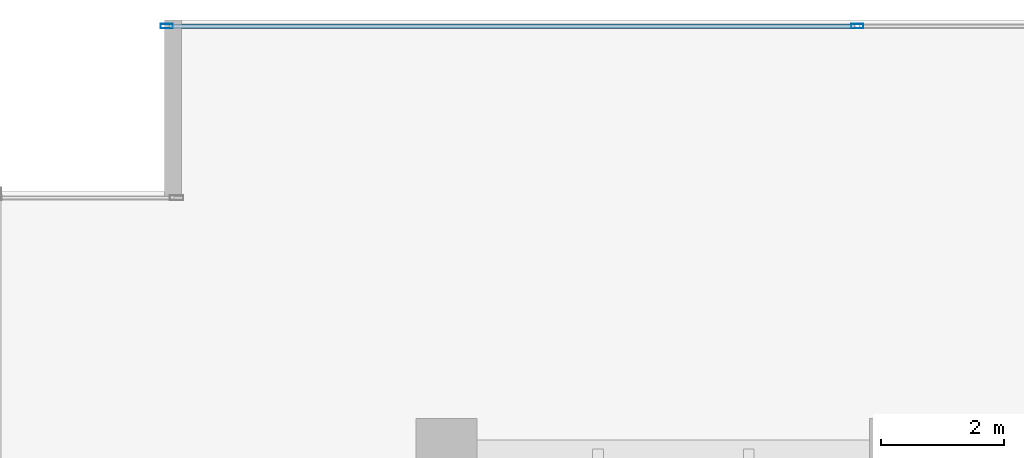
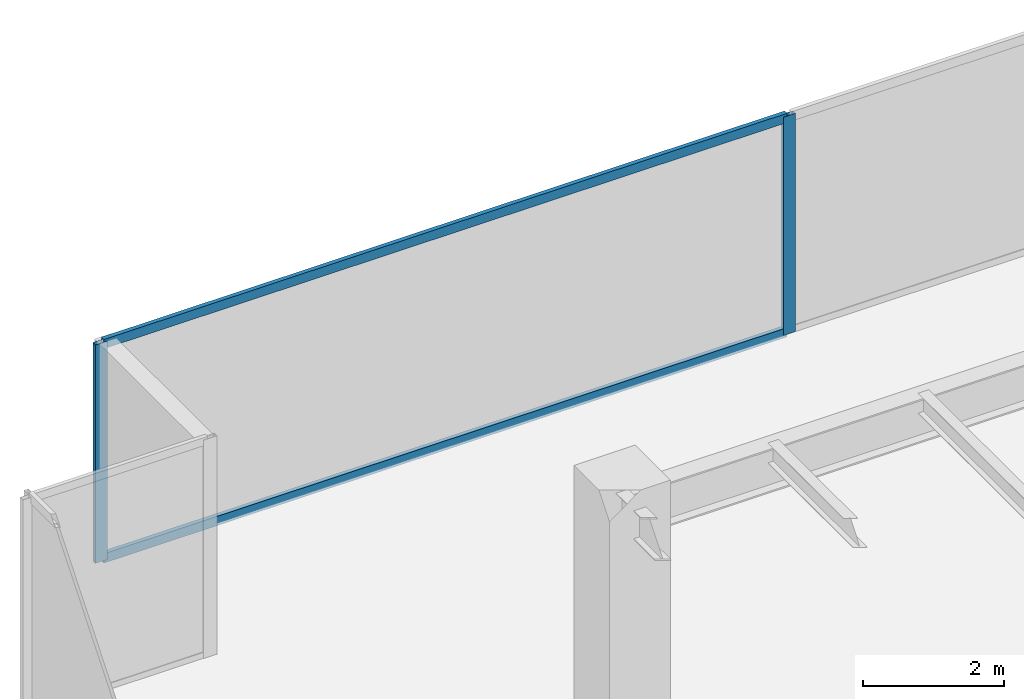
# One storey, part 15 of 35: 4 members, 1 element without a shape of its own.
"""IFC4 building model written with IfcOpenShell, lengths in metres."""

from ifc_helpers import new_model, si_unit, direction, frame, origin, origin_2d, place, context, subcontext, project, spatial, hollow_rectangle, extrude, source, transform, mapped, material, layer, layer_set, material_profile, profile_set, type_object, type_shapes, element, aggregate, save


model = new_model("IFC4")

# Units and contexts
model_context = context("Model", 3, precision=1e-05, world=origin(), true_north=direction((0.0, 1.0)))
body_context = subcontext(model_context, "Body", "Model", "MODEL_VIEW")
ifc_project = project(units=[si_unit("LENGTHUNIT", "METRE"), si_unit("AREAUNIT", "SQUARE_METRE"), si_unit("VOLUMEUNIT", "CUBIC_METRE"), si_unit("PLANEANGLEUNIT", "RADIAN"), si_unit("MASSUNIT", "GRAM", prefix="KILO")], contexts=[model_context])

# Site, building, storey
site_placement = place(None, origin())
site = spatial("IfcSite", under=ifc_project, at=site_placement, CompositionType="ELEMENT")
building_placement = place(site_placement, origin())
building = spatial("IfcBuilding", under=site, at=building_placement, Name="Haelvirn Gate Laboratories", CompositionType="ELEMENT")
storey_placement = place(building_placement, frame((0.0, 0.0, 41.60009765625)))
storey = spatial("IfcBuildingStorey", under=building, at=storey_placement, Name="L10", CompositionType="ELEMENT", Elevation=41.60009765625)

# Curtain wall, members
ifc_material_1 = material(Name="Anodised bronze unitised aluminium & triple low-E glass", Category="aluminium")
ifc_layer = layer(ifc_material_1, 0.18408203125, Name="CW-SYS-2")
ifc_layer_set = layer_set([ifc_layer], Name="Anodised bronze unitised aluminium & triple low-E glass")
curtain_wall_type = type_object("IfcCurtainWallType", Name="CW-SYS-2", PredefinedType="NOTDEFINED", material=ifc_layer_set)
curtain_wall_placement = place(storey_placement, origin())
curtain_wall = element("IfcCurtainWall", 1, at=curtain_wall_placement, inside=storey, type_object=curtain_wall_type, Name="L10 Unitised Curtain Wall CW-L10-P0-E14-1", PredefinedType="NOTDEFINED")
ifc_material_2 = material(Name="Extruded aluminium 6063-T6 (anodised bronze)", Category="aluminium")
ifc_material_profile_1 = material_profile(ifc_material_2, hollow_rectangle(XDim=0.070068359375, YDim=0.159912109375, WallThickness=0.0048828125, at=origin_2d()), Name="CWT-160x70x5")
ifc_profile_set_1 = profile_set([ifc_material_profile_1], Name="Extruded aluminium 6063-T6 (anodised bronze)")
member_type_1 = type_object("IfcMemberType", Name="CWT-T160", PredefinedType="USERDEFINED", material=ifc_profile_set_1)
shared_shape_1 = source(origin(), body_context, "Body", "SweptSolid", [
    extrude(hollow_rectangle(XDim=0.070068359375, YDim=0.159912109375, WallThickness=0.0048828125, at=origin_2d()), origin(), (0.0, 0.0, 1.0), 11.1875),
])
type_shapes(member_type_1, [shared_shape_1])
member_1_placement = place(storey_placement, frame((2.875, 48.5, 0.034912109375), z_axis=(1.0, 0.0, 0.0), x_axis=(0.0, 1.0, 0.0)))
member_1 = element("IfcMember", 2, at=member_1_placement, type_object=member_type_1, Name="CW2 transom 1.1", ObjectType="TRANSOM", PredefinedType="USERDEFINED", context=body_context, shape_type="MappedRepresentation", body=[
    mapped(shared_shape_1, transform((0.0, 0.0, 0.0), scale=1.0)),
])
member_2_placement = place(storey_placement, frame((2.875, 48.5, 3.744873046875), z_axis=(1.0, 0.0, 0.0), x_axis=(0.0, 1.0, 0.0)))
member_2 = element("IfcMember", 3, at=member_2_placement, type_object=member_type_1, Name="CW2 transom 1.2", ObjectType="TRANSOM", PredefinedType="USERDEFINED", context=body_context, shape_type="MappedRepresentation", body=[
    mapped(shared_shape_1, transform((0.0, 0.0, 0.0), scale=1.0)),
])
ifc_material_profile_2 = material_profile(ifc_material_2, hollow_rectangle(XDim=0.074951171875, YDim=0.199951171875, WallThickness=0.0048828125, at=origin_2d()), Name="CWM-200x75x5")
ifc_profile_set_2 = profile_set([ifc_material_profile_2], Name="Extruded aluminium 6063-T6 (anodised bronze)")
member_type_2 = type_object("IfcMemberType", Name="CWM-T200", PredefinedType="MULLION", material=ifc_profile_set_2)
shared_shape_2 = source(origin(), body_context, "Body", "SweptSolid", [
    extrude(hollow_rectangle(XDim=0.074951171875, YDim=0.199951171875, WallThickness=0.0048828125, at=origin_2d()), origin(), (0.0, 0.0, 1.0), 3.77978515625),
])
type_shapes(member_type_2, [shared_shape_2])
member_3_placement = place(storey_placement, frame((2.83740234375, 48.5, 0.0), z_axis=(0.0, 0.0, 1.0), x_axis=(0.0, 1.0, 0.0)))
member_3 = element("IfcMember", 4, at=member_3_placement, type_object=member_type_2, Name="CW2 mullion 1", PredefinedType="MULLION", context=body_context, shape_type="MappedRepresentation", body=[
    mapped(shared_shape_2, transform((0.0, 0.0, 0.0), scale=1.0)),
])
member_4_placement = place(storey_placement, frame((14.10009765625, 48.5, 0.0), z_axis=(0.0, 0.0, 1.0), x_axis=(0.0, 1.0, 0.0)))
member_4 = element("IfcMember", 5, at=member_4_placement, type_object=member_type_2, Name="CW2 mullion 2", PredefinedType="MULLION", context=body_context, shape_type="MappedRepresentation", body=[
    mapped(shared_shape_2, transform((0.0, 0.0, 0.0), scale=1.0)),
])
aggregate(curtain_wall, [member_3, member_4, member_1, member_2])

save(model, "model.ifc")
